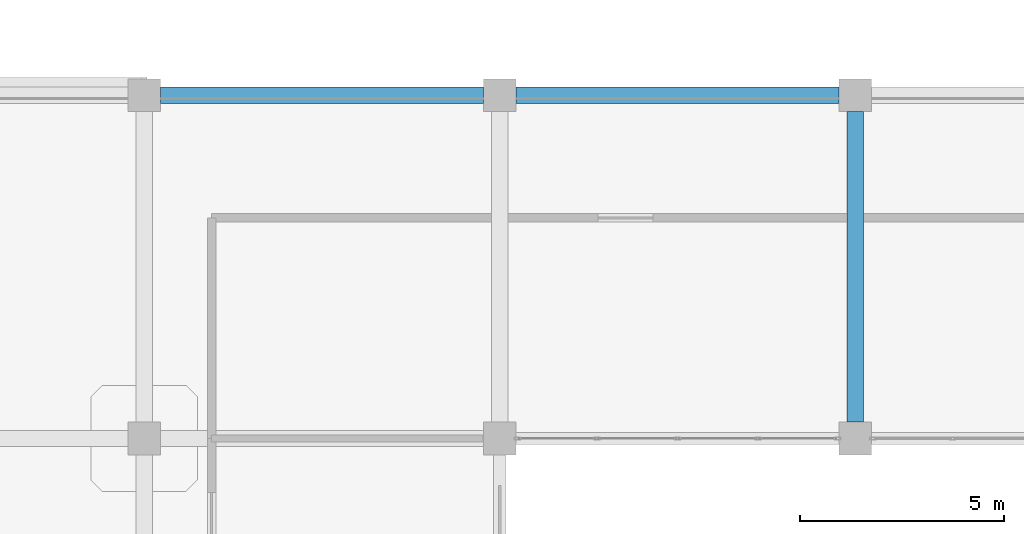
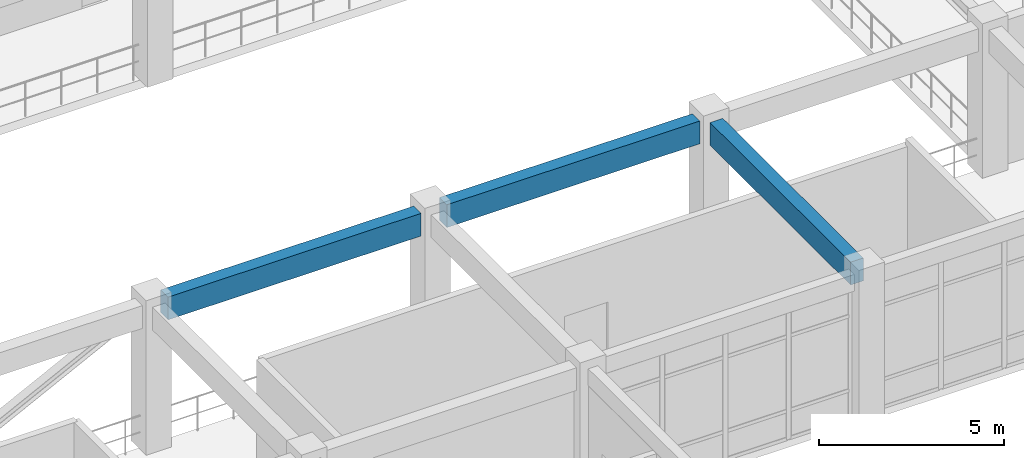
# One storey, part 37 of 96: 3 beams.
"""IFC4 building model written with IfcOpenShell, lengths in metres."""

from ifc_helpers import new_model, si_unit, derived_unit, direction, frame, origin, origin_2d, place, context, subcontext, project, spatial, rectangle, extrude, material, material_profile, profile_set, type_object, element, save


model = new_model("IFC4")

# Units and contexts
model_context = context("Model", 3, precision=1e-05, world=origin(), true_north=direction((0.0, 1.0)))
body_context = subcontext(model_context, "Body", "Model", "MODEL_VIEW")
ifc_project = project(units=[si_unit("LENGTHUNIT", "METRE"), si_unit("AREAUNIT", "SQUARE_METRE"), si_unit("VOLUMEUNIT", "CUBIC_METRE"), si_unit("PLANEANGLEUNIT", "RADIAN"), si_unit("MASSUNIT", "GRAM", prefix="KILO"), derived_unit("THERMALTRANSMITTANCEUNIT", [(si_unit("MASSUNIT", "GRAM", prefix="KILO"), 1), (si_unit("TIMEUNIT", "SECOND"), -3), (si_unit("THERMODYNAMICTEMPERATUREUNIT", "KELVIN"), -1)])], contexts=[model_context])

# Site, building, storey
site_placement = place(None, origin())
site = spatial("IfcSite", under=ifc_project, at=site_placement, CompositionType="ELEMENT")
building_placement = place(site_placement, origin())
building = spatial("IfcBuilding", under=site, at=building_placement, Name="Qinzheling Arcade Emporium", CompositionType="ELEMENT")
storey_placement = place(building_placement, frame((0.0, 0.0, 21.60009765625)))
storey = spatial("IfcBuildingStorey", under=building, at=storey_placement, Name="L05", CompositionType="ELEMENT", Elevation=21.60009765625)

# Beams
ifc_material = material(Name="Concrete C40", Category="concrete")
ifc_material_profile = material_profile(ifc_material, rectangle(XDim=0.39990234375, YDim=0.75, at=origin_2d()), Name="RC 400x750", Category="concrete")
ifc_profile_set = profile_set([ifc_material_profile], Name="Concrete C40")
beam_type = type_object("IfcBeamType", Name="RC Interior Tie Beam 400x750 C40", PredefinedType="BEAM", material=ifc_profile_set)
for number, where, z_axis, x_axis, name in (
    (1, (61.300048828125, 50.39990234375, 4.44482421875), (1.0, 0.0, 0.0), (0.0, 1.0, 0.0), "Beam BM-L05-X-G-8"),
    (2, (70.0, 50.39990234375, 4.44482421875), (1.0, 0.0, 0.0), (0.0, 1.0, 0.0), "Beam BM-L05-X-G-9"),
):
    element("IfcBeam", number, at=place(storey_placement, frame(where, z_axis=z_axis, x_axis=x_axis)), inside=storey, type_object=beam_type, Name=name, PredefinedType="BEAM", context=body_context, shape_type="SweptSolid", body=[
        extrude(rectangle(XDim=0.39990234375, YDim=0.75, at=origin_2d()), origin(), (0.0, 0.0, 1.0), 7.89990234375),
    ])
beam_placement = place(storey_placement, frame((78.300048828125, 42.39990234375, 4.44482421875), z_axis=(0.0, 1.0, 0.0), x_axis=(-1.0, 0.0, 0.0)))
element("IfcBeam", 3, at=beam_placement, inside=storey, type_object=beam_type, Name="Beam BM-L05-Y-10-F", PredefinedType="BEAM", context=body_context, shape_type="SweptSolid", body=[
    extrude(rectangle(XDim=0.39990234375, YDim=0.75, at=origin_2d()), origin(), (0.0, 0.0, 1.0), 7.60009765625),
])

save(model, "model.ifc")
